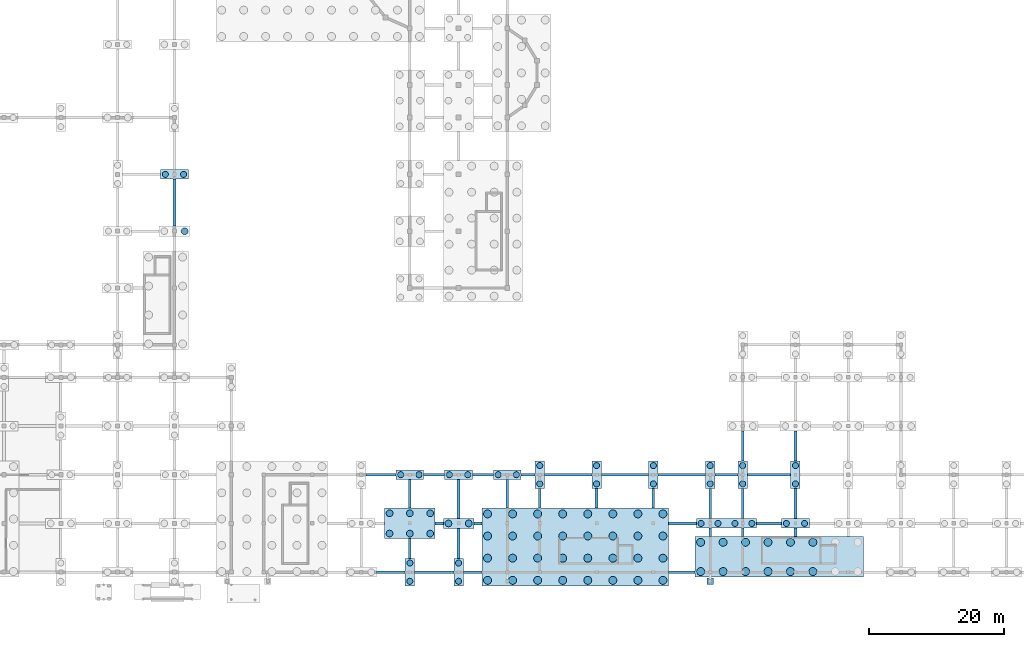
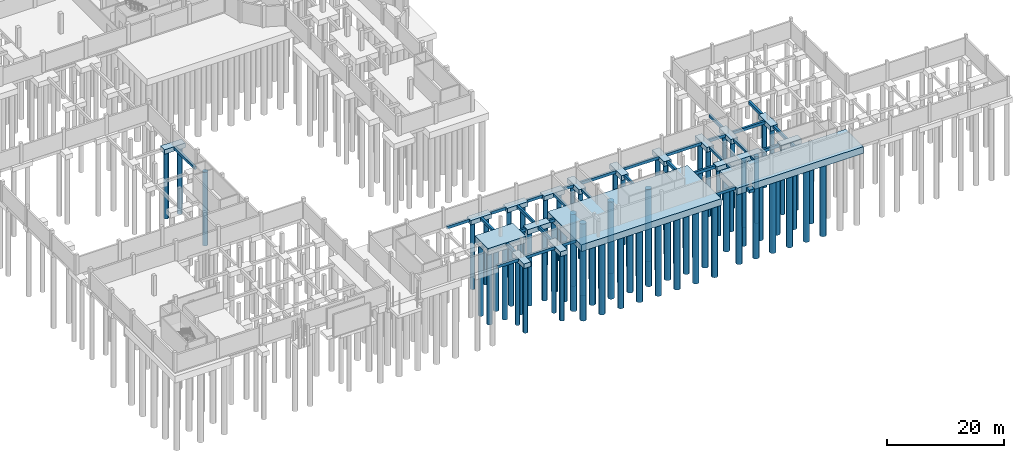
# One storey, part 3 of 22: 83 piles, 53 footings.
"""IFC4 building model written with IfcOpenShell, lengths in metres."""

from ifc_helpers import new_model, si_unit, direction, frame, origin, origin_2d, place, context, subcontext, project, spatial, rectangle, circle, extrude, material, material_profile, profile_set, type_object, element, save


model = new_model("IFC4")

# Units and contexts
model_context = context("Model", 3, precision=1e-05, world=origin(), true_north=direction((0.0, 1.0)))
body_context = subcontext(model_context, "Body", "Model", "MODEL_VIEW")
ifc_project = project(units=[si_unit("LENGTHUNIT", "METRE"), si_unit("AREAUNIT", "SQUARE_METRE"), si_unit("VOLUMEUNIT", "CUBIC_METRE"), si_unit("PLANEANGLEUNIT", "RADIAN"), si_unit("MASSUNIT", "GRAM", prefix="KILO")], contexts=[model_context])

# Site, building, storey
site_placement = place(None, origin())
site = spatial("IfcSite", under=ifc_project, at=site_placement, CompositionType="ELEMENT")
building_placement = place(site_placement, origin())
building = spatial("IfcBuilding", under=site, at=building_placement, Name="Kahlenmark Community Centre", CompositionType="ELEMENT")
storey_placement = place(building_placement, frame((0.0, 0.0, -4.199951171875)))
storey = spatial("IfcBuildingStorey", under=building, at=storey_placement, Name="B1", CompositionType="ELEMENT", Elevation=-4.199951171875)

# Footings
ifc_material = material(Name="Concrete C30/37", Category="concrete")
footing_type_1 = type_object("IfcFootingType", Name="FT-GB-400X600", PredefinedType="FOOTING_BEAM", material=ifc_material)
footing_1_placement = place(storey_placement, frame((69.574951171875, 8.800048828125, -0.60009765625), z_axis=(0.0, 0.0, 1.0), x_axis=(1.0, 0.0, 0.0)))
element("IfcFooting", 1, at=footing_1_placement, inside=storey, type_object=footing_type_1, Name="Ground tie beam X006", PredefinedType="FOOTING_BEAM", context=body_context, shape_type="SweptSolid", body=[
    extrude(rectangle(XDim=4.25, YDim=0.39990234375, at=origin_2d()), origin(), (0.0, 0.0, 1.0), 0.60009765625),
])
footing_2_placement = place(storey_placement, frame((76.0, 8.800048828125, -0.60009765625), z_axis=(0.0, 0.0, 1.0), x_axis=(1.0, 0.0, 0.0)))
element("IfcFooting", 2, at=footing_2_placement, inside=storey, type_object=footing_type_1, Name="Ground tie beam X007", PredefinedType="FOOTING_BEAM", context=body_context, shape_type="SweptSolid", body=[
    extrude(rectangle(XDim=5.800048828125, YDim=0.39990234375, at=origin_2d()), origin(), (0.0, 0.0, 1.0), 0.60009765625),
])
footing_3_placement = place(storey_placement, frame((81.675048828125, 8.800048828125, -0.60009765625), z_axis=(0.0, 0.0, 1.0), x_axis=(1.0, 0.0, 0.0)))
element("IfcFooting", 3, at=footing_3_placement, inside=storey, type_object=footing_type_1, Name="Ground tie beam X008", PredefinedType="FOOTING_BEAM", context=body_context, shape_type="SweptSolid", body=[
    extrude(rectangle(XDim=2.75, YDim=0.39990234375, at=origin_2d()), origin(), (0.0, 0.0, 1.0), 0.60009765625),
])
footing_4_placement = place(storey_placement, frame((112.60009765625, 8.800048828125, -0.60009765625), z_axis=(0.0, 0.0, 1.0), x_axis=(1.0, 0.0, 0.0)))
element("IfcFooting", 4, at=footing_4_placement, inside=storey, type_object=footing_type_1, Name="Ground tie beam X009", PredefinedType="FOOTING_BEAM", context=body_context, shape_type="SweptSolid", body=[
    extrude(rectangle(XDim=3.89990234375, YDim=0.39990234375, at=origin_2d()), origin(), (0.0, 0.0, 1.0), 0.60009765625),
])
for number, where, z_axis, x_axis, name in (
    (5, (76.75, 16.0, -0.60009765625), (0.0, 0.0, 1.0), (1.0, 0.0, 0.0), "Ground tie beam X020"),
    (6, (82.449951171875, 16.0, -0.60009765625), (0.0, 0.0, 1.0), (1.0, 0.0, 0.0), "Ground tie beam X021"),
):
    element("IfcFooting", number, at=place(storey_placement, frame(where, z_axis=z_axis, x_axis=x_axis)), inside=storey, type_object=footing_type_1, Name=name, PredefinedType="FOOTING_BEAM", context=body_context, shape_type="SweptSolid", body=[
        extrude(rectangle(XDim=1.199951171875, YDim=0.39990234375, at=origin_2d()), origin(), (0.0, 0.0, 1.0), 0.60009765625),
    ])
footing_5_placement = place(storey_placement, frame((112.699951171875, 16.0, -0.60009765625), z_axis=(0.0, 0.0, 1.0), x_axis=(1.0, 0.0, 0.0)))
element("IfcFooting", 7, at=footing_5_placement, inside=storey, type_object=footing_type_1, Name="Ground tie beam X022", PredefinedType="FOOTING_BEAM", context=body_context, shape_type="SweptSolid", body=[
    extrude(rectangle(XDim=4.10009765625, YDim=0.39990234375, at=origin_2d()), origin(), (0.0, 0.0, 1.0), 0.60009765625),
])
footing_6_placement = place(storey_placement, frame((125.5, 16.0, -0.60009765625), z_axis=(0.0, 0.0, 1.0), x_axis=(1.0, 0.0, 0.0)))
element("IfcFooting", 8, at=footing_6_placement, inside=storey, type_object=footing_type_1, Name="Ground tie beam X023", PredefinedType="FOOTING_BEAM", context=body_context, shape_type="SweptSolid", body=[
    extrude(rectangle(XDim=3.699951171875, YDim=0.39990234375, at=origin_2d()), origin(), (0.0, 0.0, 1.0), 0.60009765625),
])
footing_7_placement = place(storey_placement, frame((68.125, 23.199951171875, -0.60009765625), z_axis=(0.0, 0.0, 1.0), x_axis=(1.0, 0.0, 0.0)))
element("IfcFooting", 9, at=footing_7_placement, inside=storey, type_object=footing_type_1, Name="Ground tie beam X034", PredefinedType="FOOTING_BEAM", context=body_context, shape_type="SweptSolid", body=[
    extrude(rectangle(XDim=4.449951171875, YDim=0.39990234375, at=origin_2d()), origin(), (0.0, 0.0, 1.0), 0.60009765625),
])
for number, where, z_axis, x_axis, name in (
    (10, (76.0, 23.199951171875, -0.60009765625), (0.0, 0.0, 1.0), (1.0, 0.0, 0.0), "Ground tie beam X035"),
    (11, (83.199951171875, 23.199951171875, -0.60009765625), (0.0, 0.0, 1.0), (1.0, 0.0, 0.0), "Ground tie beam X036"),
):
    element("IfcFooting", number, at=place(storey_placement, frame(where, z_axis=z_axis, x_axis=x_axis)), inside=storey, type_object=footing_type_1, Name=name, PredefinedType="FOOTING_BEAM", context=body_context, shape_type="SweptSolid", body=[
        extrude(rectangle(XDim=3.10009765625, YDim=0.39990234375, at=origin_2d()), origin(), (0.0, 0.0, 1.0), 0.60009765625),
    ])
footing_8_placement = place(storey_placement, frame((89.875, 23.199951171875, -0.60009765625), z_axis=(0.0, 0.0, 1.0), x_axis=(1.0, 0.0, 0.0)))
element("IfcFooting", 12, at=footing_8_placement, inside=storey, type_object=footing_type_1, Name="Ground tie beam X037", PredefinedType="FOOTING_BEAM", context=body_context, shape_type="SweptSolid", body=[
    extrude(rectangle(XDim=2.050048828125, YDim=0.39990234375, at=origin_2d()), origin(), (0.0, 0.0, 1.0), 0.60009765625),
])
for number, where, z_axis, x_axis, name in (
    (13, (95.800048828125, 23.199951171875, -0.60009765625), (0.0, 0.0, 1.0), (1.0, 0.0, 0.0), "Ground tie beam X038"),
    (14, (104.199951171875, 23.199951171875, -0.60009765625), (0.0, 0.0, 1.0), (1.0, 0.0, 0.0), "Ground tie beam X039"),
    (15, (112.60009765625, 23.199951171875, -0.60009765625), (0.0, 0.0, 1.0), (1.0, 0.0, 0.0), "Ground tie beam X040"),
):
    element("IfcFooting", number, at=place(storey_placement, frame(where, z_axis=z_axis, x_axis=x_axis)), inside=storey, type_object=footing_type_1, Name=name, PredefinedType="FOOTING_BEAM", context=body_context, shape_type="SweptSolid", body=[
        extrude(rectangle(XDim=7.0, YDim=0.39990234375, at=origin_2d()), origin(), (0.0, 0.0, 1.0), 0.60009765625),
    ])
footing_9_placement = place(storey_placement, frame((119.199951171875, 23.199951171875, -0.60009765625), z_axis=(0.0, 0.0, 1.0), x_axis=(1.0, 0.0, 0.0)))
element("IfcFooting", 16, at=footing_9_placement, inside=storey, type_object=footing_type_1, Name="Ground tie beam X041", PredefinedType="FOOTING_BEAM", context=body_context, shape_type="SweptSolid", body=[
    extrude(rectangle(XDim=3.39990234375, YDim=0.39990234375, at=origin_2d()), origin(), (0.0, 0.0, 1.0), 0.60009765625),
])
footing_10_placement = place(storey_placement, frame((125.5, 23.199951171875, -0.60009765625), z_axis=(0.0, 0.0, 1.0), x_axis=(1.0, 0.0, 0.0)))
element("IfcFooting", 17, at=footing_10_placement, inside=storey, type_object=footing_type_1, Name="Ground tie beam X042", PredefinedType="FOOTING_BEAM", context=body_context, shape_type="SweptSolid", body=[
    extrude(rectangle(XDim=6.39990234375, YDim=0.39990234375, at=origin_2d()), origin(), (0.0, 0.0, 1.0), 0.60009765625),
])
footing_11_placement = place(storey_placement, frame((37.60009765625, 63.425048828125, -0.60009765625), z_axis=(0.0, 0.0, 1.0), x_axis=(1.0, 0.0, 0.0)))
element("IfcFooting", 18, at=footing_11_placement, inside=storey, type_object=footing_type_1, Name="Ground tie beam Y151", PredefinedType="FOOTING_BEAM", context=body_context, shape_type="SweptSolid", body=[
    extrude(rectangle(XDim=0.39990234375, YDim=6.949951171875, at=origin_2d()), origin(), (0.0, 0.0, 1.0), 0.60009765625),
])
footing_12_placement = place(storey_placement, frame((72.39990234375, 12.300048828125, -0.60009765625), z_axis=(0.0, 0.0, 1.0), x_axis=(1.0, 0.0, 0.0)))
element("IfcFooting", 19, at=footing_12_placement, inside=storey, type_object=footing_type_1, Name="Ground tie beam Y165", PredefinedType="FOOTING_BEAM", context=body_context, shape_type="SweptSolid", body=[
    extrude(rectangle(XDim=0.39990234375, YDim=2.89990234375, at=origin_2d()), origin(), (0.0, 0.0, 1.0), 0.60009765625),
])
footing_13_placement = place(storey_placement, frame((72.39990234375, 20.375, -0.60009765625), z_axis=(0.0, 0.0, 1.0), x_axis=(1.0, 0.0, 0.0)))
element("IfcFooting", 20, at=footing_13_placement, inside=storey, type_object=footing_type_1, Name="Ground tie beam Y166", PredefinedType="FOOTING_BEAM", context=body_context, shape_type="SweptSolid", body=[
    extrude(rectangle(XDim=0.39990234375, YDim=4.25, at=origin_2d()), origin(), (0.0, 0.0, 1.0), 0.60009765625),
])
footing_14_placement = place(storey_placement, frame((79.60009765625, 13.050048828125, -0.60009765625), z_axis=(0.0, 0.0, 1.0), x_axis=(1.0, 0.0, 0.0)))
element("IfcFooting", 21, at=footing_14_placement, inside=storey, type_object=footing_type_1, Name="Ground tie beam Y172", PredefinedType="FOOTING_BEAM", context=body_context, shape_type="SweptSolid", body=[
    extrude(rectangle(XDim=0.39990234375, YDim=4.39990234375, at=origin_2d()), origin(), (0.0, 0.0, 1.0), 0.60009765625),
])
footing_15_placement = place(storey_placement, frame((79.60009765625, 19.625, -0.60009765625), z_axis=(0.0, 0.0, 1.0), x_axis=(1.0, 0.0, 0.0)))
element("IfcFooting", 22, at=footing_15_placement, inside=storey, type_object=footing_type_1, Name="Ground tie beam Y173", PredefinedType="FOOTING_BEAM", context=body_context, shape_type="SweptSolid", body=[
    extrude(rectangle(XDim=0.39990234375, YDim=5.75, at=origin_2d()), origin(), (0.0, 0.0, 1.0), 0.60009765625),
])
footing_16_placement = place(storey_placement, frame((86.800048828125, 20.375, -0.60009765625), z_axis=(0.0, 0.0, 1.0), x_axis=(1.0, 0.0, 0.0)))
element("IfcFooting", 23, at=footing_16_placement, inside=storey, type_object=footing_type_1, Name="Ground tie beam Y179", PredefinedType="FOOTING_BEAM", context=body_context, shape_type="SweptSolid", body=[
    extrude(rectangle(XDim=0.39990234375, YDim=4.25, at=origin_2d()), origin(), (0.0, 0.0, 1.0), 0.60009765625),
])
for number, where, z_axis, x_axis, name in (
    (24, (91.60009765625, 19.699951171875, -0.60009765625), (0.0, 0.0, 1.0), (1.0, 0.0, 0.0), "Ground tie beam Y184"),
    (25, (100.0, 19.699951171875, -0.60009765625), (0.0, 0.0, 1.0), (1.0, 0.0, 0.0), "Ground tie beam Y185"),
    (26, (108.39990234375, 19.699951171875, -0.60009765625), (0.0, 0.0, 1.0), (1.0, 0.0, 0.0), "Ground tie beam Y186"),
):
    element("IfcFooting", number, at=place(storey_placement, frame(where, z_axis=z_axis, x_axis=x_axis)), inside=storey, type_object=footing_type_1, Name=name, PredefinedType="FOOTING_BEAM", context=body_context, shape_type="SweptSolid", body=[
        extrude(rectangle(XDim=0.39990234375, YDim=2.89990234375, at=origin_2d()), origin(), (0.0, 0.0, 1.0), 0.60009765625),
    ])
footing_17_placement = place(storey_placement, frame((116.800048828125, 14.675048828125, -0.60009765625), z_axis=(0.0, 0.0, 1.0), x_axis=(1.0, 0.0, 0.0)))
element("IfcFooting", 27, at=footing_17_placement, inside=storey, type_object=footing_type_1, Name="Ground tie beam Y187", PredefinedType="FOOTING_BEAM", context=body_context, shape_type="SweptSolid", body=[
    extrude(rectangle(XDim=0.39990234375, YDim=1.25, at=origin_2d()), origin(), (0.0, 0.0, 1.0), 0.60009765625),
])
footing_18_placement = place(storey_placement, frame((116.800048828125, 18.925048828125, -0.60009765625), z_axis=(0.0, 0.0, 1.0), x_axis=(1.0, 0.0, 0.0)))
element("IfcFooting", 28, at=footing_18_placement, inside=storey, type_object=footing_type_1, Name="Ground tie beam Y188", PredefinedType="FOOTING_BEAM", context=body_context, shape_type="SweptSolid", body=[
    extrude(rectangle(XDim=0.39990234375, YDim=4.449951171875, at=origin_2d()), origin(), (0.0, 0.0, 1.0), 0.60009765625),
])
footing_19_placement = place(storey_placement, frame((121.60009765625, 14.675048828125, -0.60009765625), z_axis=(0.0, 0.0, 1.0), x_axis=(1.0, 0.0, 0.0)))
element("IfcFooting", 29, at=footing_19_placement, inside=storey, type_object=footing_type_1, Name="Ground tie beam Y189", PredefinedType="FOOTING_BEAM", context=body_context, shape_type="SweptSolid", body=[
    extrude(rectangle(XDim=0.39990234375, YDim=1.25, at=origin_2d()), origin(), (0.0, 0.0, 1.0), 0.60009765625),
])
footing_20_placement = place(storey_placement, frame((121.60009765625, 18.925048828125, -0.60009765625), z_axis=(0.0, 0.0, 1.0), x_axis=(1.0, 0.0, 0.0)))
element("IfcFooting", 30, at=footing_20_placement, inside=storey, type_object=footing_type_1, Name="Ground tie beam Y190", PredefinedType="FOOTING_BEAM", context=body_context, shape_type="SweptSolid", body=[
    extrude(rectangle(XDim=0.39990234375, YDim=4.449951171875, at=origin_2d()), origin(), (0.0, 0.0, 1.0), 0.60009765625),
])
footing_21_placement = place(storey_placement, frame((121.60009765625, 27.449951171875, -0.60009765625), z_axis=(0.0, 0.0, 1.0), x_axis=(1.0, 0.0, 0.0)))
element("IfcFooting", 31, at=footing_21_placement, inside=storey, type_object=footing_type_1, Name="Ground tie beam Y191", PredefinedType="FOOTING_BEAM", context=body_context, shape_type="SweptSolid", body=[
    extrude(rectangle(XDim=0.39990234375, YDim=4.39990234375, at=origin_2d()), origin(), (0.0, 0.0, 1.0), 0.60009765625),
])
footing_22_placement = place(storey_placement, frame((129.39990234375, 14.675048828125, -0.60009765625), z_axis=(0.0, 0.0, 1.0), x_axis=(1.0, 0.0, 0.0)))
element("IfcFooting", 32, at=footing_22_placement, inside=storey, type_object=footing_type_1, Name="Ground tie beam Y194", PredefinedType="FOOTING_BEAM", context=body_context, shape_type="SweptSolid", body=[
    extrude(rectangle(XDim=0.39990234375, YDim=1.25, at=origin_2d()), origin(), (0.0, 0.0, 1.0), 0.60009765625),
])
footing_23_placement = place(storey_placement, frame((129.39990234375, 18.925048828125, -0.60009765625), z_axis=(0.0, 0.0, 1.0), x_axis=(1.0, 0.0, 0.0)))
element("IfcFooting", 33, at=footing_23_placement, inside=storey, type_object=footing_type_1, Name="Ground tie beam Y195", PredefinedType="FOOTING_BEAM", context=body_context, shape_type="SweptSolid", body=[
    extrude(rectangle(XDim=0.39990234375, YDim=4.449951171875, at=origin_2d()), origin(), (0.0, 0.0, 1.0), 0.60009765625),
])
footing_24_placement = place(storey_placement, frame((129.39990234375, 27.449951171875, -0.60009765625), z_axis=(0.0, 0.0, 1.0), x_axis=(1.0, 0.0, 0.0)))
element("IfcFooting", 34, at=footing_24_placement, inside=storey, type_object=footing_type_1, Name="Ground tie beam Y196", PredefinedType="FOOTING_BEAM", context=body_context, shape_type="SweptSolid", body=[
    extrude(rectangle(XDim=0.39990234375, YDim=4.39990234375, at=origin_2d()), origin(), (0.0, 0.0, 1.0), 0.60009765625),
])
footing_type_2 = type_object("IfcFootingType", Name="FT-PAD-100X100", PredefinedType="PAD_FOOTING", material=ifc_material)
footing_25_placement = place(storey_placement, frame((116.800048828125, 7.449951171875, -1.0), z_axis=(0.0, 0.0, 1.0), x_axis=(1.0, 0.0, 0.0)))
element("IfcFooting", 35, at=footing_25_placement, inside=storey, type_object=footing_type_2, Name="Pad footing auto 003", PredefinedType="PAD_FOOTING", context=body_context, shape_type="SweptSolid", body=[
    extrude(rectangle(XDim=1.0, YDim=1.0, at=origin_2d()), origin(), (0.0, 0.0, 1.0), 0.60009765625),
])
footing_type_3 = type_object("IfcFootingType", Name="FT-PC-140X410X100", PredefinedType="PILE_CAP", material=ifc_material)
for number, where, z_axis, x_axis, name in (
    (36, (72.39990234375, 8.800048828125, -1.0), (0.0, 0.0, 1.0), (1.0, 0.0, 0.0), "Bored pile cap FT-PC-003"),
    (37, (79.60009765625, 8.800048828125, -1.0), (0.0, 0.0, 1.0), (1.0, 0.0, 0.0), "Bored pile cap FT-PC-004"),
    (38, (91.60009765625, 23.199951171875, -1.0), (0.0, 0.0, 1.0), (1.0, 0.0, 0.0), "Bored pile cap FT-PC-030"),
    (39, (100.0, 23.199951171875, -1.0), (0.0, 0.0, 1.0), (1.0, 0.0, 0.0), "Bored pile cap FT-PC-031"),
    (40, (108.39990234375, 23.199951171875, -1.0), (0.0, 0.0, 1.0), (1.0, 0.0, 0.0), "Bored pile cap FT-PC-032"),
    (41, (116.800048828125, 23.199951171875, -1.0), (0.0, 0.0, 1.0), (1.0, 0.0, 0.0), "Bored pile cap FT-PC-033"),
    (42, (121.60009765625, 23.199951171875, -1.0), (0.0, 0.0, 1.0), (1.0, 0.0, 0.0), "Bored pile cap FT-PC-034"),
    (43, (129.39990234375, 23.199951171875, -1.0), (0.0, 0.0, 1.0), (1.0, 0.0, 0.0), "Bored pile cap FT-PC-035"),
):
    element("IfcFooting", number, at=place(storey_placement, frame(where, z_axis=z_axis, x_axis=x_axis)), inside=storey, type_object=footing_type_3, Name=name, PredefinedType="PILE_CAP", context=body_context, shape_type="SweptSolid", body=[
        extrude(rectangle(XDim=1.39990234375, YDim=4.10009765625, at=origin_2d()), origin(), (0.0, 0.0, 1.0), 1.0),
    ])
footing_type_4 = type_object("IfcFootingType", Name="FT-PC-2490X600X140", PredefinedType="PILE_CAP", material=ifc_material)
footing_26_placement = place(storey_placement, frame((127.0, 11.050048828125, -1.39990234375), z_axis=(0.0, 0.0, 1.0), x_axis=(1.0, 0.0, 0.0)))
element("IfcFooting", 44, at=footing_26_placement, inside=storey, type_object=footing_type_4, Name="Bored pile cap FT-PC-010", PredefinedType="PILE_CAP", context=body_context, shape_type="SweptSolid", body=[
    extrude(rectangle(XDim=24.89990234375, YDim=6.0, at=origin_2d()), origin(), (0.0, 0.0, 1.0), 1.39990234375),
])
footing_type_5 = type_object("IfcFootingType", Name="FT-PC-2760X1150X140", PredefinedType="PILE_CAP", material=ifc_material)
footing_27_placement = place(storey_placement, frame((96.85009765625, 12.5, -1.39990234375), z_axis=(0.0, 0.0, 1.0), x_axis=(1.0, 0.0, 0.0)))
element("IfcFooting", 45, at=footing_27_placement, inside=storey, type_object=footing_type_5, Name="Bored pile cap FT-PC-005", PredefinedType="PILE_CAP", context=body_context, shape_type="SweptSolid", body=[
    extrude(rectangle(XDim=27.60009765625, YDim=11.5, at=origin_2d()), origin(), (0.0, 0.0, 1.0), 1.39990234375),
])
footing_type_6 = type_object("IfcFootingType", Name="FT-PC-410X140X95", PredefinedType="PILE_CAP", material=ifc_material)
for number, where, z_axis, x_axis, name in (
    (46, (129.39990234375, 16.0, -0.9501953125), (0.0, 0.0, 1.0), (1.0, 0.0, 0.0), "Bored pile cap FT-PC-022"),
    (47, (72.39990234375, 23.199951171875, -0.9501953125), (0.0, 0.0, 1.0), (1.0, 0.0, 0.0), "Bored pile cap FT-PC-043"),
    (48, (79.60009765625, 23.199951171875, -0.9501953125), (0.0, 0.0, 1.0), (1.0, 0.0, 0.0), "Bored pile cap FT-PC-044"),
    (49, (86.800048828125, 23.199951171875, -0.9501953125), (0.0, 0.0, 1.0), (1.0, 0.0, 0.0), "Bored pile cap FT-PC-045"),
    (50, (37.60009765625, 67.60009765625, -0.9501953125), (0.0, 0.0, 1.0), (1.0, 0.0, 0.0), "Bored pile cap FT-PC-086"),
):
    element("IfcFooting", number, at=place(storey_placement, frame(where, z_axis=z_axis, x_axis=x_axis)), inside=storey, type_object=footing_type_6, Name=name, PredefinedType="PILE_CAP", context=body_context, shape_type="SweptSolid", body=[
        extrude(rectangle(XDim=4.10009765625, YDim=1.39990234375, at=origin_2d()), origin(), (0.0, 0.0, 1.0), 0.949951171875),
    ])
footing_type_7 = type_object("IfcFootingType", Name="FT-PC-450X150X105", PredefinedType="PILE_CAP", material=ifc_material)
footing_28_placement = place(storey_placement, frame((79.60009765625, 16.0, -1.05029296875), z_axis=(0.0, 0.0, 1.0), x_axis=(1.0, 0.0, 0.0)))
element("IfcFooting", 51, at=footing_28_placement, inside=storey, type_object=footing_type_7, Name="Bored pile cap FT-PC-018", PredefinedType="PILE_CAP", context=body_context, shape_type="SweptSolid", body=[
    extrude(rectangle(XDim=4.5, YDim=1.5, at=origin_2d()), origin(), (0.0, 0.0, 1.0), 1.050048828125),
])
footing_type_8 = type_object("IfcFootingType", Name="FT-PC-750X450X135", PredefinedType="PILE_CAP", material=ifc_material)
footing_29_placement = place(storey_placement, frame((72.39990234375, 16.0, -1.35009765625), z_axis=(0.0, 0.0, 1.0), x_axis=(1.0, 0.0, 0.0)))
element("IfcFooting", 52, at=footing_29_placement, inside=storey, type_object=footing_type_8, Name="Bored pile cap FT-PC-015", PredefinedType="PILE_CAP", context=body_context, shape_type="SweptSolid", body=[
    extrude(rectangle(XDim=7.5, YDim=4.5, at=origin_2d()), origin(), (0.0, 0.0, 1.0), 1.35009765625),
])
footing_type_9 = type_object("IfcFootingType", Name="FT-PC-890X140X95", PredefinedType="PILE_CAP", material=ifc_material)
footing_30_placement = place(storey_placement, frame((119.199951171875, 16.0, -0.9501953125), z_axis=(0.0, 0.0, 1.0), x_axis=(1.0, 0.0, 0.0)))
element("IfcFooting", 53, at=footing_30_placement, inside=storey, type_object=footing_type_9, Name="Bored pile cap FT-PC-021", PredefinedType="PILE_CAP", context=body_context, shape_type="SweptSolid", body=[
    extrude(rectangle(XDim=8.89990234375, YDim=1.39990234375, at=origin_2d()), origin(), (0.0, 0.0, 1.0), 0.949951171875),
])

# Piles
ifc_material_profile_1 = material_profile(ifc_material, circle(Radius=0.5, at=origin_2d()), Name="BORED PILE 1000")
ifc_profile_set_1 = profile_set([ifc_material_profile_1], Name="Concrete C30/37")
pile_type_1 = type_object("IfcPileType", Name="PT-BP1000", PredefinedType="BORED", material=ifc_profile_set_1)
for number, where, z_axis, x_axis, name in (
    (54, (69.39990234375, 14.5, -1.25), (0.0, 0.0, -1.0), (1.0, 0.0, 0.0), "Bored pile PL-RC2-015-01"),
    (55, (69.39990234375, 17.5, -1.25), (0.0, 0.0, -1.0), (1.0, 0.0, 0.0), "Bored pile PL-RC2-015-02"),
    (56, (72.39990234375, 14.5, -1.25), (0.0, 0.0, -1.0), (1.0, 0.0, 0.0), "Bored pile PL-RC2-015-03"),
    (57, (72.39990234375, 17.5, -1.25), (0.0, 0.0, -1.0), (1.0, 0.0, 0.0), "Bored pile PL-RC2-015-04"),
    (58, (75.39990234375, 14.5, -1.25), (0.0, 0.0, -1.0), (1.0, 0.0, 0.0), "Bored pile PL-RC2-015-05"),
    (59, (75.39990234375, 17.5, -1.25), (0.0, 0.0, -1.0), (1.0, 0.0, 0.0), "Bored pile PL-RC2-015-06"),
):
    element("IfcPile", number, at=place(storey_placement, frame(where, z_axis=z_axis, x_axis=x_axis)), inside=storey, type_object=pile_type_1, Name=name, PredefinedType="BORED", context=body_context, shape_type="SweptSolid", body=[
        extrude(circle(Radius=0.5, at=origin_2d()), origin(), (0.0, 0.0, 1.0), 15.050048828125),
    ])
for number, where, z_axis, x_axis, name in (
    (60, (78.10009765625, 16.0, -0.949951171875), (0.0, 0.0, -1.0), (1.0, 0.0, 0.0), "Bored pile PL-RC2-018-01"),
    (61, (81.10009765625, 16.0, -0.949951171875), (0.0, 0.0, -1.0), (1.0, 0.0, 0.0), "Bored pile PL-RC2-018-02"),
    (62, (39.10009765625, 59.199951171875, -0.949951171875), (0.0, 0.0, -1.0), (1.0, 0.0, 0.0), "Bored pile PL-RC2-080-02"),
):
    element("IfcPile", number, at=place(storey_placement, frame(where, z_axis=z_axis, x_axis=x_axis)), inside=storey, type_object=pile_type_1, Name=name, PredefinedType="BORED", context=body_context, shape_type="SweptSolid", body=[
        extrude(circle(Radius=0.5, at=origin_2d()), origin(), (0.0, 0.0, 1.0), 15.35009765625),
    ])
ifc_material_profile_2 = material_profile(ifc_material, circle(Radius=0.590087890625, at=origin_2d()), Name="BORED PILE 1180")
ifc_profile_set_2 = profile_set([ifc_material_profile_2], Name="Concrete C30/37")
pile_type_2 = type_object("IfcPileType", Name="PT-BP1180", PredefinedType="BORED", material=ifc_profile_set_2)
for number, where, z_axis, x_axis, name in (
    (63, (83.889892578125, 7.590087890625, -1.300048828125), (0.0, 0.0, -1.0), (1.0, 0.0, 0.0), "Bored pile PL-RC2-005-01"),
    (64, (83.889892578125, 10.863037109375, -1.300048828125), (0.0, 0.0, -1.0), (1.0, 0.0, 0.0), "Bored pile PL-RC2-005-02"),
    (65, (83.889892578125, 14.136962890625, -1.300048828125), (0.0, 0.0, -1.0), (1.0, 0.0, 0.0), "Bored pile PL-RC2-005-03"),
    (66, (83.889892578125, 17.409912109375, -1.300048828125), (0.0, 0.0, -1.0), (1.0, 0.0, 0.0), "Bored pile PL-RC2-005-04"),
    (67, (87.593017578125, 7.590087890625, -1.300048828125), (0.0, 0.0, -1.0), (1.0, 0.0, 0.0), "Bored pile PL-RC2-005-05"),
    (68, (87.593017578125, 10.863037109375, -1.300048828125), (0.0, 0.0, -1.0), (1.0, 0.0, 0.0), "Bored pile PL-RC2-005-06"),
    (69, (87.593017578125, 14.136962890625, -1.300048828125), (0.0, 0.0, -1.0), (1.0, 0.0, 0.0), "Bored pile PL-RC2-005-07"),
    (70, (87.593017578125, 17.409912109375, -1.300048828125), (0.0, 0.0, -1.0), (1.0, 0.0, 0.0), "Bored pile PL-RC2-005-08"),
    (71, (91.2958984375, 7.590087890625, -1.300048828125), (0.0, 0.0, -1.0), (1.0, 0.0, 0.0), "Bored pile PL-RC2-005-09"),
    (72, (91.2958984375, 10.863037109375, -1.300048828125), (0.0, 0.0, -1.0), (1.0, 0.0, 0.0), "Bored pile PL-RC2-005-10"),
    (73, (91.2958984375, 14.136962890625, -1.300048828125), (0.0, 0.0, -1.0), (1.0, 0.0, 0.0), "Bored pile PL-RC2-005-11"),
    (74, (91.2958984375, 17.409912109375, -1.300048828125), (0.0, 0.0, -1.0), (1.0, 0.0, 0.0), "Bored pile PL-RC2-005-12"),
    (75, (94.9990234375, 7.590087890625, -1.300048828125), (0.0, 0.0, -1.0), (1.0, 0.0, 0.0), "Bored pile PL-RC2-005-13"),
    (76, (94.9990234375, 10.863037109375, -1.300048828125), (0.0, 0.0, -1.0), (1.0, 0.0, 0.0), "Bored pile PL-RC2-005-14"),
    (77, (94.9990234375, 14.136962890625, -1.300048828125), (0.0, 0.0, -1.0), (1.0, 0.0, 0.0), "Bored pile PL-RC2-005-15"),
    (78, (94.9990234375, 17.409912109375, -1.300048828125), (0.0, 0.0, -1.0), (1.0, 0.0, 0.0), "Bored pile PL-RC2-005-16"),
    (79, (98.700927734375, 7.590087890625, -1.300048828125), (0.0, 0.0, -1.0), (1.0, 0.0, 0.0), "Bored pile PL-RC2-005-17"),
    (80, (98.700927734375, 10.863037109375, -1.300048828125), (0.0, 0.0, -1.0), (1.0, 0.0, 0.0), "Bored pile PL-RC2-005-18"),
    (81, (98.700927734375, 14.136962890625, -1.300048828125), (0.0, 0.0, -1.0), (1.0, 0.0, 0.0), "Bored pile PL-RC2-005-19"),
    (82, (98.700927734375, 17.409912109375, -1.300048828125), (0.0, 0.0, -1.0), (1.0, 0.0, 0.0), "Bored pile PL-RC2-005-20"),
    (83, (102.404052734375, 7.590087890625, -1.300048828125), (0.0, 0.0, -1.0), (1.0, 0.0, 0.0), "Bored pile PL-RC2-005-21"),
    (84, (102.404052734375, 10.863037109375, -1.300048828125), (0.0, 0.0, -1.0), (1.0, 0.0, 0.0), "Bored pile PL-RC2-005-22"),
    (85, (102.404052734375, 14.136962890625, -1.300048828125), (0.0, 0.0, -1.0), (1.0, 0.0, 0.0), "Bored pile PL-RC2-005-23"),
    (86, (102.404052734375, 17.409912109375, -1.300048828125), (0.0, 0.0, -1.0), (1.0, 0.0, 0.0), "Bored pile PL-RC2-005-24"),
    (87, (106.10693359375, 7.590087890625, -1.300048828125), (0.0, 0.0, -1.0), (1.0, 0.0, 0.0), "Bored pile PL-RC2-005-25"),
    (88, (106.10693359375, 10.863037109375, -1.300048828125), (0.0, 0.0, -1.0), (1.0, 0.0, 0.0), "Bored pile PL-RC2-005-26"),
    (89, (106.10693359375, 14.136962890625, -1.300048828125), (0.0, 0.0, -1.0), (1.0, 0.0, 0.0), "Bored pile PL-RC2-005-27"),
    (90, (106.10693359375, 17.409912109375, -1.300048828125), (0.0, 0.0, -1.0), (1.0, 0.0, 0.0), "Bored pile PL-RC2-005-28"),
    (91, (109.81005859375, 7.590087890625, -1.300048828125), (0.0, 0.0, -1.0), (1.0, 0.0, 0.0), "Bored pile PL-RC2-005-29"),
    (92, (109.81005859375, 10.863037109375, -1.300048828125), (0.0, 0.0, -1.0), (1.0, 0.0, 0.0), "Bored pile PL-RC2-005-30"),
    (93, (109.81005859375, 14.136962890625, -1.300048828125), (0.0, 0.0, -1.0), (1.0, 0.0, 0.0), "Bored pile PL-RC2-005-31"),
    (94, (109.81005859375, 17.409912109375, -1.300048828125), (0.0, 0.0, -1.0), (1.0, 0.0, 0.0), "Bored pile PL-RC2-005-32"),
    (95, (115.389892578125, 8.889892578125, -1.300048828125), (0.0, 0.0, -1.0), (1.0, 0.0, 0.0), "Bored pile PL-RC2-010-01"),
    (96, (115.389892578125, 13.2099609375, -1.300048828125), (0.0, 0.0, -1.0), (1.0, 0.0, 0.0), "Bored pile PL-RC2-010-02"),
    (97, (118.70703125, 8.889892578125, -1.300048828125), (0.0, 0.0, -1.0), (1.0, 0.0, 0.0), "Bored pile PL-RC2-010-03"),
    (98, (118.70703125, 13.2099609375, -1.300048828125), (0.0, 0.0, -1.0), (1.0, 0.0, 0.0), "Bored pile PL-RC2-010-04"),
    (99, (122.02392578125, 8.889892578125, -1.300048828125), (0.0, 0.0, -1.0), (1.0, 0.0, 0.0), "Bored pile PL-RC2-010-05"),
    (100, (122.02392578125, 13.2099609375, -1.300048828125), (0.0, 0.0, -1.0), (1.0, 0.0, 0.0), "Bored pile PL-RC2-010-06"),
    (101, (125.341064453125, 8.889892578125, -1.300048828125), (0.0, 0.0, -1.0), (1.0, 0.0, 0.0), "Bored pile PL-RC2-010-07"),
    (102, (125.341064453125, 13.2099609375, -1.300048828125), (0.0, 0.0, -1.0), (1.0, 0.0, 0.0), "Bored pile PL-RC2-010-08"),
    (103, (128.658935546875, 8.889892578125, -1.300048828125), (0.0, 0.0, -1.0), (1.0, 0.0, 0.0), "Bored pile PL-RC2-010-09"),
    (104, (128.658935546875, 13.2099609375, -1.300048828125), (0.0, 0.0, -1.0), (1.0, 0.0, 0.0), "Bored pile PL-RC2-010-10"),
    (105, (131.97607421875, 8.889892578125, -1.300048828125), (0.0, 0.0, -1.0), (1.0, 0.0, 0.0), "Bored pile PL-RC2-010-11"),
    (106, (131.97607421875, 13.2099609375, -1.300048828125), (0.0, 0.0, -1.0), (1.0, 0.0, 0.0), "Bored pile PL-RC2-010-12"),
):
    element("IfcPile", number, at=place(storey_placement, frame(where, z_axis=z_axis, x_axis=x_axis)), inside=storey, type_object=pile_type_2, Name=name, PredefinedType="BORED", context=body_context, shape_type="SweptSolid", body=[
        extrude(circle(Radius=0.590087890625, at=origin_2d()), origin(), (0.0, 0.0, 1.0), 15.0),
    ])
ifc_material_profile_3 = material_profile(ifc_material, circle(Radius=0.449951171875, at=origin_2d()), Name="BORED PILE 900")
ifc_profile_set_3 = profile_set([ifc_material_profile_3], Name="Concrete C30/37")
pile_type_3 = type_object("IfcPileType", Name="PT-BP900", PredefinedType="BORED", material=ifc_profile_set_3)
for number, where, z_axis, x_axis, name in (
    (107, (72.39990234375, 7.449951171875, -0.900146484375), (0.0, 0.0, -1.0), (1.0, 0.0, 0.0), "Bored pile PL-RC2-003-01"),
    (108, (72.39990234375, 10.14990234375, -0.900146484375), (0.0, 0.0, -1.0), (1.0, 0.0, 0.0), "Bored pile PL-RC2-003-02"),
    (109, (79.60009765625, 7.449951171875, -0.900146484375), (0.0, 0.0, -1.0), (1.0, 0.0, 0.0), "Bored pile PL-RC2-004-01"),
    (110, (79.60009765625, 10.14990234375, -0.900146484375), (0.0, 0.0, -1.0), (1.0, 0.0, 0.0), "Bored pile PL-RC2-004-02"),
):
    element("IfcPile", number, at=place(storey_placement, frame(where, z_axis=z_axis, x_axis=x_axis)), inside=storey, type_object=pile_type_3, Name=name, PredefinedType="BORED", context=body_context, shape_type="SweptSolid", body=[
        extrude(circle(Radius=0.449951171875, at=origin_2d()), origin(), (0.0, 0.0, 1.0), 13.89990234375),
    ])
for number, where, z_axis, x_axis, name in (
    (111, (115.449951171875, 16.0, -0.85009765625), (0.0, 0.0, -1.0), (1.0, 0.0, 0.0), "Bored pile PL-RC2-021-01"),
    (112, (117.949951171875, 16.0, -0.85009765625), (0.0, 0.0, -1.0), (1.0, 0.0, 0.0), "Bored pile PL-RC2-021-02"),
    (113, (120.449951171875, 16.0, -0.85009765625), (0.0, 0.0, -1.0), (1.0, 0.0, 0.0), "Bored pile PL-RC2-021-03"),
    (114, (122.949951171875, 16.0, -0.85009765625), (0.0, 0.0, -1.0), (1.0, 0.0, 0.0), "Bored pile PL-RC2-021-04"),
    (115, (128.050048828125, 16.0, -0.85009765625), (0.0, 0.0, -1.0), (1.0, 0.0, 0.0), "Bored pile PL-RC2-022-01"),
    (116, (130.75, 16.0, -0.85009765625), (0.0, 0.0, -1.0), (1.0, 0.0, 0.0), "Bored pile PL-RC2-022-02"),
):
    element("IfcPile", number, at=place(storey_placement, frame(where, z_axis=z_axis, x_axis=x_axis)), inside=storey, type_object=pile_type_3, Name=name, PredefinedType="BORED", context=body_context, shape_type="SweptSolid", body=[
        extrude(circle(Radius=0.449951171875, at=origin_2d()), origin(), (0.0, 0.0, 1.0), 13.949951171875),
    ])
for number, where, z_axis, x_axis, name in (
    (117, (91.60009765625, 21.85009765625, -0.900146484375), (0.0, 0.0, -1.0), (1.0, 0.0, 0.0), "Bored pile PL-RC2-030-01"),
    (118, (91.60009765625, 24.550048828125, -0.900146484375), (0.0, 0.0, -1.0), (1.0, 0.0, 0.0), "Bored pile PL-RC2-030-02"),
    (119, (100.0, 21.85009765625, -0.900146484375), (0.0, 0.0, -1.0), (1.0, 0.0, 0.0), "Bored pile PL-RC2-031-01"),
    (120, (100.0, 24.550048828125, -0.900146484375), (0.0, 0.0, -1.0), (1.0, 0.0, 0.0), "Bored pile PL-RC2-031-02"),
    (121, (108.39990234375, 21.85009765625, -0.900146484375), (0.0, 0.0, -1.0), (1.0, 0.0, 0.0), "Bored pile PL-RC2-032-01"),
    (122, (108.39990234375, 24.550048828125, -0.900146484375), (0.0, 0.0, -1.0), (1.0, 0.0, 0.0), "Bored pile PL-RC2-032-02"),
    (123, (116.800048828125, 21.85009765625, -0.900146484375), (0.0, 0.0, -1.0), (1.0, 0.0, 0.0), "Bored pile PL-RC2-033-01"),
    (124, (116.800048828125, 24.550048828125, -0.900146484375), (0.0, 0.0, -1.0), (1.0, 0.0, 0.0), "Bored pile PL-RC2-033-02"),
    (125, (121.60009765625, 21.85009765625, -0.900146484375), (0.0, 0.0, -1.0), (1.0, 0.0, 0.0), "Bored pile PL-RC2-034-01"),
    (126, (121.60009765625, 24.550048828125, -0.900146484375), (0.0, 0.0, -1.0), (1.0, 0.0, 0.0), "Bored pile PL-RC2-034-02"),
    (127, (129.39990234375, 21.85009765625, -0.900146484375), (0.0, 0.0, -1.0), (1.0, 0.0, 0.0), "Bored pile PL-RC2-035-01"),
    (128, (129.39990234375, 24.550048828125, -0.900146484375), (0.0, 0.0, -1.0), (1.0, 0.0, 0.0), "Bored pile PL-RC2-035-02"),
):
    element("IfcPile", number, at=place(storey_placement, frame(where, z_axis=z_axis, x_axis=x_axis)), inside=storey, type_object=pile_type_3, Name=name, PredefinedType="BORED", context=body_context, shape_type="SweptSolid", body=[
        extrude(circle(Radius=0.449951171875, at=origin_2d()), origin(), (0.0, 0.0, 1.0), 13.89990234375),
    ])
for number, where, z_axis, x_axis, name in (
    (129, (71.050048828125, 23.199951171875, -0.85009765625), (0.0, 0.0, -1.0), (1.0, 0.0, 0.0), "Bored pile PL-RC2-043-01"),
    (130, (73.75, 23.199951171875, -0.85009765625), (0.0, 0.0, -1.0), (1.0, 0.0, 0.0), "Bored pile PL-RC2-043-02"),
    (131, (78.25, 23.199951171875, -0.85009765625), (0.0, 0.0, -1.0), (1.0, 0.0, 0.0), "Bored pile PL-RC2-044-01"),
    (132, (80.949951171875, 23.199951171875, -0.85009765625), (0.0, 0.0, -1.0), (1.0, 0.0, 0.0), "Bored pile PL-RC2-044-02"),
    (133, (85.449951171875, 23.199951171875, -0.85009765625), (0.0, 0.0, -1.0), (1.0, 0.0, 0.0), "Bored pile PL-RC2-045-01"),
    (134, (88.14990234375, 23.199951171875, -0.85009765625), (0.0, 0.0, -1.0), (1.0, 0.0, 0.0), "Bored pile PL-RC2-045-02"),
    (135, (36.25, 67.60009765625, -0.85009765625), (0.0, 0.0, -1.0), (1.0, 0.0, 0.0), "Bored pile PL-RC2-086-01"),
    (136, (38.949951171875, 67.60009765625, -0.85009765625), (0.0, 0.0, -1.0), (1.0, 0.0, 0.0), "Bored pile PL-RC2-086-02"),
):
    element("IfcPile", number, at=place(storey_placement, frame(where, z_axis=z_axis, x_axis=x_axis)), inside=storey, type_object=pile_type_3, Name=name, PredefinedType="BORED", context=body_context, shape_type="SweptSolid", body=[
        extrude(circle(Radius=0.449951171875, at=origin_2d()), origin(), (0.0, 0.0, 1.0), 13.949951171875),
    ])

save(model, "model.ifc")
